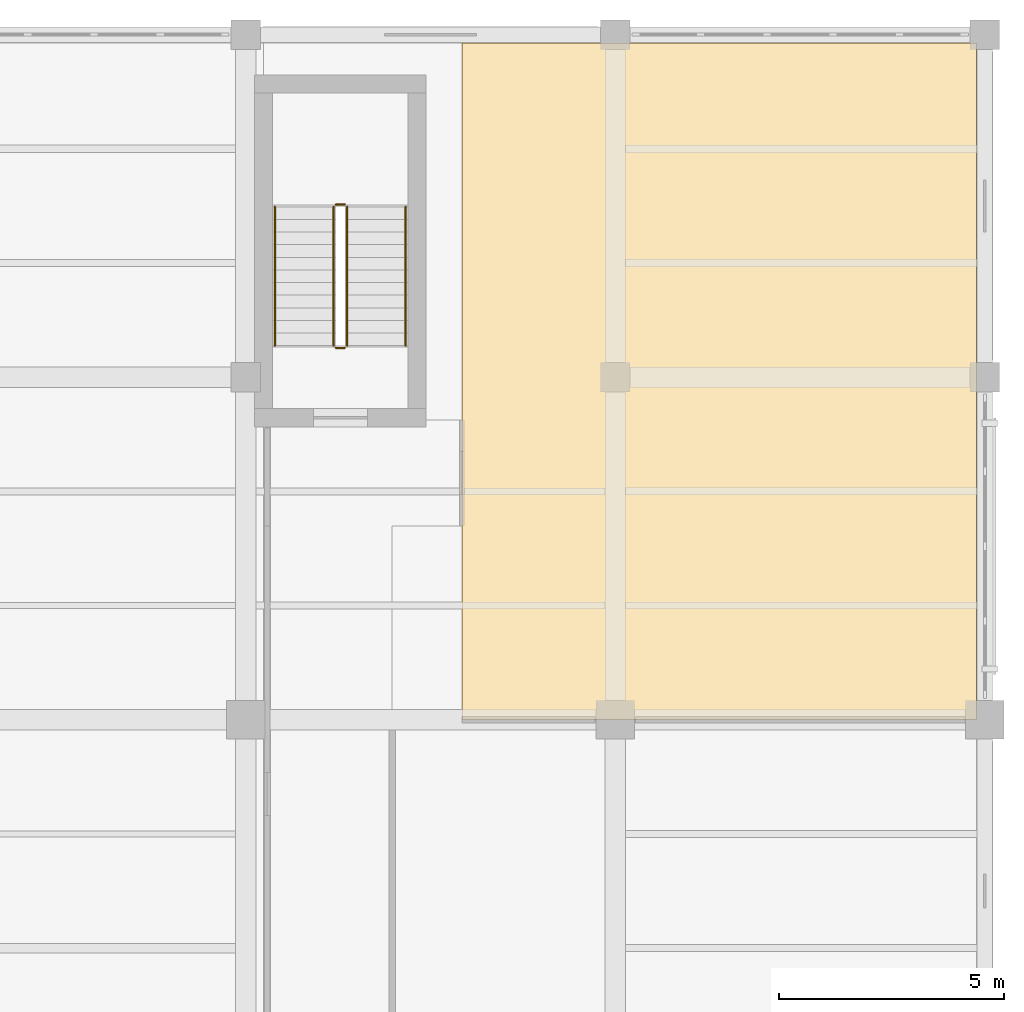
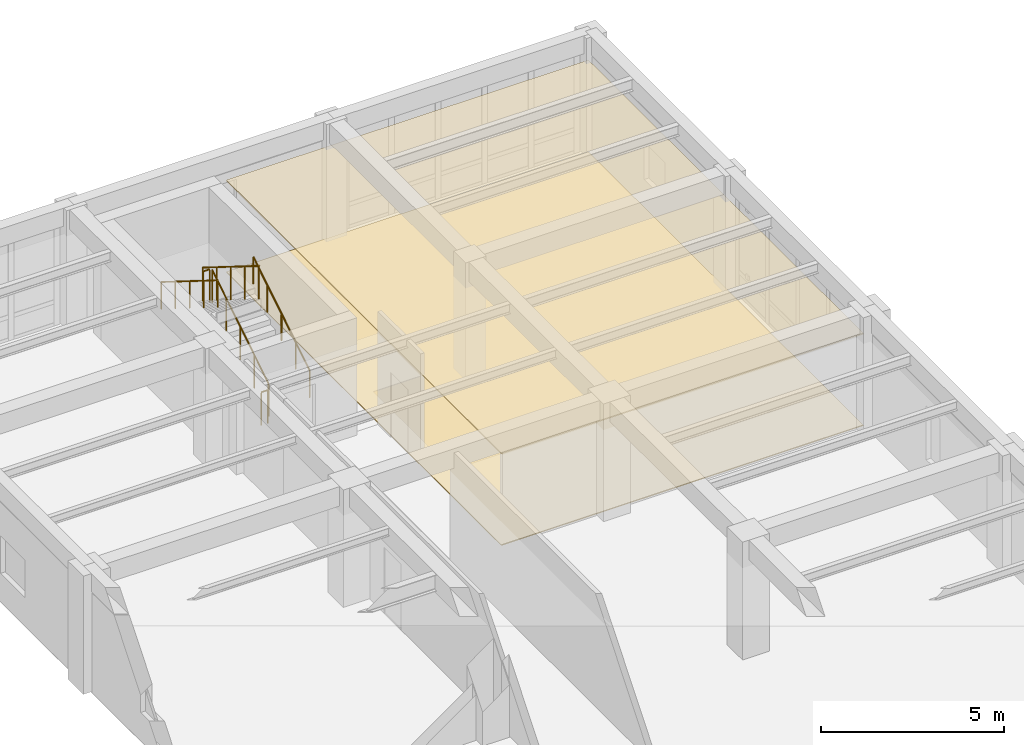
# One storey, part 17 of 17: 6 railings, 2 coverings.
"""IFC4 building model written with IfcOpenShell, lengths in metres."""

from ifc_helpers import new_model, si_unit, direction, frame, origin, origin_2d, place, context, subcontext, project, spatial, polyline, circle, outline, extrude, material, layer, layer_set, type_object, element, save


model = new_model("IFC4")

# Units and contexts
model_context = context("Model", 3, precision=1e-05, world=origin(), true_north=direction((0.0, 1.0)))
body_context = subcontext(model_context, "Body", "Model", "MODEL_VIEW")
ifc_project = project(units=[si_unit("LENGTHUNIT", "METRE"), si_unit("AREAUNIT", "SQUARE_METRE"), si_unit("VOLUMEUNIT", "CUBIC_METRE"), si_unit("PLANEANGLEUNIT", "RADIAN"), si_unit("MASSUNIT", "GRAM", prefix="KILO")], contexts=[model_context])

# Site, building, storey
site_placement = place(None, origin())
site = spatial("IfcSite", under=ifc_project, at=site_placement, CompositionType="ELEMENT")
building_placement = place(site_placement, origin())
building = spatial("IfcBuilding", under=site, at=building_placement, Name="Qandaris Square Conservatory and Botanical Centre", CompositionType="ELEMENT")
storey_placement = place(building_placement, frame((0.0, 0.0, 28.199951171875)))
storey = spatial("IfcBuildingStorey", under=building, at=storey_placement, Name="L06", CompositionType="ELEMENT", Elevation=28.199951171875)

# Coverings
ifc_material_1 = material(Name="Honed Qatari Limestone", Category="masonry")
ifc_layer_1 = layer(ifc_material_1, 0.030029296875)
ifc_layer_set_1 = layer_set([ifc_layer_1], Name="Honed Qatari Limestone")
covering_type_1 = type_object("IfcCoveringType", Name="Honed Qatari Limestone Concourse Paving", PredefinedType="FLOORING", material=ifc_layer_set_1)
covering_1_placement = place(storey_placement, origin())
element("IfcCovering", 1, at=covering_1_placement, inside=storey, type_object=covering_type_1, Name="Floor L06 Staff Write-Up Lounge Flooring", PredefinedType="FLOORING", context=body_context, shape_type="SweptSolid", body=[
    extrude(outline(polyline([(152.199951171875, 62.199951171875), (152.199951171875, 66.5), (152.199951171875, 68.85009765625), (152.199951171875, 77.219970703125), (163.6201171875, 77.219970703125), (163.6201171875, 62.199951171875), (152.199951171875, 62.199951171875)])), origin(), (0.0, 0.0, 1.0), 0.030029296875),
])
ifc_material_2 = material(Name="Engineered Oak Timber", Category="wood")
ifc_layer_2 = layer(ifc_material_2, 0.0400390625)
ifc_layer_set_2 = layer_set([ifc_layer_2], Name="Engineered Oak Timber")
covering_type_2 = type_object("IfcCoveringType", Name="Slatted Oak Acoustic Gallery Ceiling", PredefinedType="CEILING", material=ifc_layer_set_2)
covering_2_placement = place(storey_placement, frame((0.0, 0.0, 3.050048828125)))
element("IfcCovering", 2, at=covering_2_placement, inside=storey, type_object=covering_type_2, Name="Floor L06 Staff Write-Up Lounge Ceiling", PredefinedType="CEILING", context=body_context, shape_type="SweptSolid", body=[
    extrude(outline(polyline([(152.199951171875, 62.199951171875), (152.199951171875, 66.5), (152.199951171875, 68.85009765625), (152.199951171875, 77.219970703125), (163.6201171875, 77.219970703125), (163.6201171875, 62.199951171875), (152.199951171875, 62.199951171875)])), origin(), (0.0, 0.0, 1.0), 0.0400390625),
])

# Railings
ifc_material_3 = material(Name="Stainless Steel", Category="steel")
railing_type_1 = type_object("IfcRailingType", Name="Stair Tubular Handrail 920mm", PredefinedType="HANDRAIL", material=ifc_material_3)
railing_1_placement = place(storey_placement, frame((150.949951171875, 70.5, 0.35009765625)))
element("IfcRailing", 3, at=railing_1_placement, inside=storey, type_object=railing_type_1, Name="L06 ST-3 stair handrail 1", PredefinedType="HANDRAIL", context=body_context, shape_type="SweptSolid", body=[
    extrude(circle(Radius=0.02392578125, at=origin_2d()), frame((0.0, 0.0, 0.89599609375), z_axis=(0.0, 0.847998304005, 0.529998940003), x_axis=(-1.0, 0.0, 0.0)), (0.0, 0.0, 1.0), 3.632080078125),
    extrude(circle(Radius=0.02099609375, at=origin_2d()), origin(), (0.0, 0.0, 1.0), 0.871826171875),
    extrude(circle(Radius=0.02099609375, at=origin_2d()), frame((0.0, 0.77001953125, 0.481201171875)), (0.0, 0.0, 1.0), 0.871826171875),
    extrude(circle(Radius=0.02099609375, at=origin_2d()), frame((0.0, 1.5400390625, 0.96240234375)), (0.0, 0.0, 1.0), 0.871826171875),
    extrude(circle(Radius=0.02099609375, at=origin_2d()), frame((0.0, 2.31005859375, 1.44384765625)), (0.0, 0.0, 1.0), 0.871826171875),
    extrude(circle(Radius=0.02099609375, at=origin_2d()), frame((0.0, 3.080078125, 1.925048828125)), (0.0, 0.0, 1.0), 0.871826171875),
])
railing_2_placement = place(storey_placement, frame((148.050048828125, 73.580078125, 2.449951171875)))
element("IfcRailing", 4, at=railing_2_placement, inside=storey, type_object=railing_type_1, Name="L06 ST-3 stair handrail 2", PredefinedType="HANDRAIL", context=body_context, shape_type="SweptSolid", body=[
    extrude(circle(Radius=0.02392578125, at=origin_2d()), frame((0.0, 0.0, 0.89599609375), z_axis=(0.0, -0.847998304005, 0.529998940003), x_axis=(1.0, 0.0, 0.0)), (0.0, 0.0, 1.0), 3.632080078125),
    extrude(circle(Radius=0.02099609375, at=origin_2d()), origin(), (0.0, 0.0, 1.0), 0.871826171875),
    extrude(circle(Radius=0.02099609375, at=origin_2d()), frame((0.0, -0.77001953125, 0.481201171875)), (0.0, 0.0, 1.0), 0.871826171875),
    extrude(circle(Radius=0.02099609375, at=origin_2d()), frame((0.0, -1.5400390625, 0.96240234375)), (0.0, 0.0, 1.0), 0.871826171875),
    extrude(circle(Radius=0.02099609375, at=origin_2d()), frame((0.0, -2.31005859375, 1.44384765625)), (0.0, 0.0, 1.0), 0.871826171875),
    extrude(circle(Radius=0.02099609375, at=origin_2d()), frame((0.0, -3.080078125, 1.925048828125)), (0.0, 0.0, 1.0), 0.871826171875),
])
railing_type_2 = type_object("IfcRailingType", Name="Stairwell & Atrium Guardrail 1120mm", PredefinedType="GUARDRAIL", material=ifc_material_3)
railing_3_placement = place(storey_placement, frame((149.64990234375, 70.5, 0.175048828125)))
element("IfcRailing", 5, at=railing_3_placement, inside=storey, type_object=railing_type_2, Name="L06 ST-3 stair guard 1", PredefinedType="GUARDRAIL", context=body_context, shape_type="SweptSolid", body=[
    extrude(circle(Radius=0.02392578125, at=origin_2d()), frame((0.0, 0.0, 1.09619140625), z_axis=(0.0, 0.847998304005, 0.529998940003), x_axis=(-1.0, 0.0, 0.0)), (0.0, 0.0, 1.0), 3.632080078125),
    extrude(circle(Radius=0.02099609375, at=origin_2d()), origin(), (0.0, 0.0, 1.0), 1.072021484375),
    extrude(circle(Radius=0.02099609375, at=origin_2d()), frame((0.0, 0.77001953125, 0.481201171875)), (0.0, 0.0, 1.0), 1.072021484375),
    extrude(circle(Radius=0.02099609375, at=origin_2d()), frame((0.0, 1.5400390625, 0.96240234375)), (0.0, 0.0, 1.0), 1.072021484375),
    extrude(circle(Radius=0.02099609375, at=origin_2d()), frame((0.0, 2.31005859375, 1.44384765625)), (0.0, 0.0, 1.0), 1.072021484375),
    extrude(circle(Radius=0.02099609375, at=origin_2d()), frame((0.0, 3.080078125, 1.925048828125)), (0.0, 0.0, 1.0), 1.072021484375),
])
railing_4_placement = place(storey_placement, frame((149.60009765625, 73.6298828125, 2.10009765625)))
element("IfcRailing", 6, at=railing_4_placement, inside=storey, type_object=railing_type_2, Name="L06 ST-3 stair guard 2", PredefinedType="GUARDRAIL", context=body_context, shape_type="SweptSolid", body=[
    extrude(circle(Radius=0.02392578125, at=origin_2d()), frame((0.0, 0.0, 1.09619140625), z_axis=(-1.0, 0.0, 0.0), x_axis=(0.0, -1.0, 0.0)), (0.0, 0.0, 1.0), 0.2001953125),
    extrude(circle(Radius=0.02099609375, at=origin_2d()), origin(), (0.0, 0.0, 1.0), 1.072021484375),
    extrude(circle(Radius=0.02099609375, at=origin_2d()), frame((-0.2001953125, 0.0, 0.0)), (0.0, 0.0, 1.0), 1.072021484375),
])
railing_5_placement = place(storey_placement, frame((149.35009765625, 73.580078125, 2.275146484375)))
element("IfcRailing", 7, at=railing_5_placement, inside=storey, type_object=railing_type_2, Name="L06 ST-3 stair guard 3", PredefinedType="GUARDRAIL", context=body_context, shape_type="SweptSolid", body=[
    extrude(circle(Radius=0.02392578125, at=origin_2d()), frame((0.0, 0.0, 1.09619140625), z_axis=(0.0, -0.848028513186, 0.529950602248), x_axis=(1.0, 0.0, 0.0)), (0.0, 0.0, 1.0), 3.632080078125),
    extrude(circle(Radius=0.02099609375, at=origin_2d()), origin(), (0.0, 0.0, 1.0), 1.072021484375),
    extrude(circle(Radius=0.02099609375, at=origin_2d()), frame((0.0, -0.77001953125, 0.481201171875)), (0.0, 0.0, 1.0), 1.072021484375),
    extrude(circle(Radius=0.02099609375, at=origin_2d()), frame((0.0, -1.5400390625, 0.96240234375)), (0.0, 0.0, 1.0), 1.072021484375),
    extrude(circle(Radius=0.02099609375, at=origin_2d()), frame((0.0, -2.31005859375, 1.443603515625)), (0.0, 0.0, 1.0), 1.072021484375),
    extrude(circle(Radius=0.02099609375, at=origin_2d()), frame((0.0, -3.080078125, 1.9248046875)), (0.0, 0.0, 1.0), 1.072021484375),
])
railing_6_placement = place(storey_placement, frame((149.60009765625, 70.449951171875, 0.0)))
element("IfcRailing", 8, at=railing_6_placement, inside=storey, type_object=railing_type_2, Name="L06 ST-3 stair guard 4", PredefinedType="GUARDRAIL", context=body_context, shape_type="SweptSolid", body=[
    extrude(circle(Radius=0.02392578125, at=origin_2d()), frame((0.0, 0.0, 1.09619140625), z_axis=(-1.0, 0.0, 0.0), x_axis=(0.0, -1.0, 0.0)), (0.0, 0.0, 1.0), 0.2001953125),
    extrude(circle(Radius=0.02099609375, at=origin_2d()), origin(), (0.0, 0.0, 1.0), 1.072021484375),
    extrude(circle(Radius=0.02099609375, at=origin_2d()), frame((-0.2001953125, 0.0, 0.0)), (0.0, 0.0, 1.0), 1.072021484375),
])

save(model, "model.ifc")
